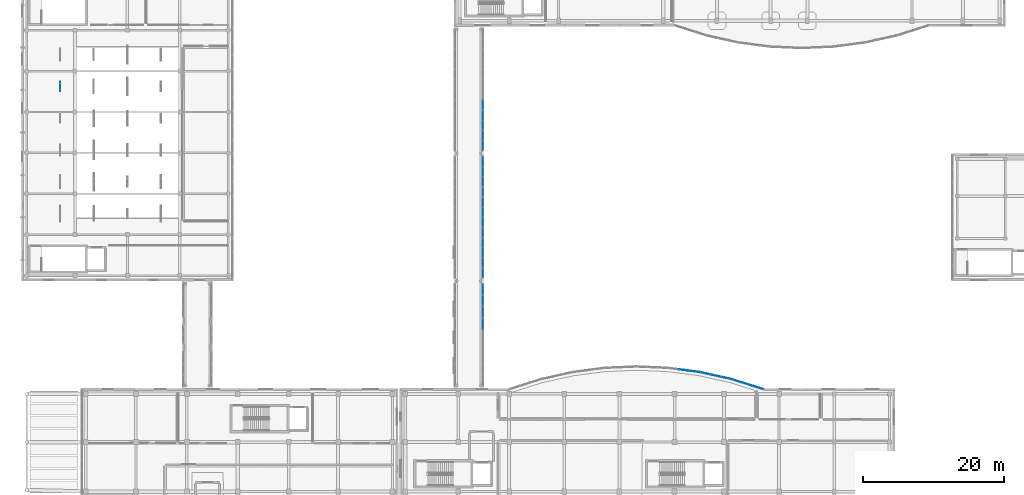
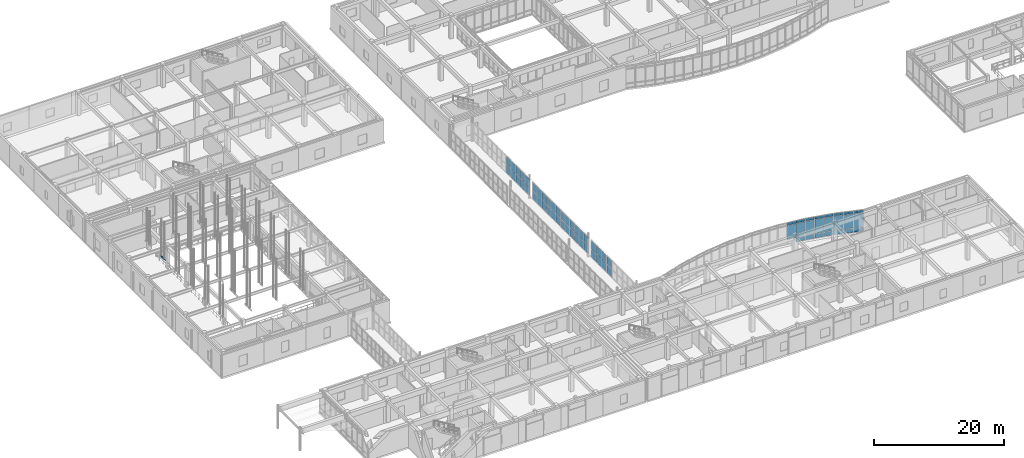
# One storey, part 108 of 142: 66 plates, 10 elements without a shape of their own.
"""IFC4 building model written with IfcOpenShell, lengths in metres."""

from ifc_helpers import new_model, si_unit, direction, frame, origin, origin_2d, place, context, subcontext, project, spatial, rectangle, extrude, material, layer, layer_set, type_object, element, aggregate, save


model = new_model("IFC4")

# Units and contexts
model_context = context("Model", 3, precision=1e-05, world=origin(), true_north=direction((0.0, 1.0)))
body_context = subcontext(model_context, "Body", "Model", "MODEL_VIEW")
ifc_project = project(units=[si_unit("LENGTHUNIT", "METRE"), si_unit("AREAUNIT", "SQUARE_METRE"), si_unit("VOLUMEUNIT", "CUBIC_METRE"), si_unit("PLANEANGLEUNIT", "RADIAN"), si_unit("MASSUNIT", "GRAM", prefix="KILO")], contexts=[model_context])

# Site, building, storey
site_placement = place(None, origin())
site = spatial("IfcSite", under=ifc_project, at=site_placement, CompositionType="ELEMENT")
building_placement = place(site_placement, origin())
building = spatial("IfcBuilding", under=site, at=building_placement, Name="Valcora Specialist Clinic", CompositionType="ELEMENT")
storey_placement = place(building_placement, frame((0.0, 0.0, 5.10009765625)))
storey = spatial("IfcBuildingStorey", under=building, at=storey_placement, Name="L01", CompositionType="ELEMENT", Elevation=5.10009765625)

# Curtain wall, plates
ifc_material_1 = material(Name="Anodized Bronze Aluminium 6063-T6", Category="aluminium")
ifc_layer_1 = layer(ifc_material_1, 0.175048828125)
ifc_layer_set_1 = layer_set([ifc_layer_1], Name="Anodized Bronze Aluminium 6063-T6")
curtain_wall_type_1 = type_object("IfcCurtainWallType", Name="TY-CW-ARC44", PredefinedType="NOTDEFINED", material=ifc_layer_set_1)
curtain_wall_1_placement = place(storey_placement, origin())
curtain_wall_1 = element("IfcCurtainWall", 1, at=curtain_wall_1_placement, inside=storey, type_object=curtain_wall_type_1, Name="Curtain wall CW-L01-200", PredefinedType="NOTDEFINED")
ifc_material_2 = material(Name="Low-E Laminated Insulating Glass", Category="glass")
ifc_layer_2 = layer(ifc_material_2, 0.028076171875)
ifc_layer_set_2 = layer_set([ifc_layer_2], Name="Low-E Laminated Insulating Glass")
plate_type_1 = type_object("IfcPlateType", Name="TY-CWP-GLZ28", PredefinedType="CURTAIN_PANEL", material=ifc_layer_set_2)
plate_1_placement = place(storey_placement, frame((96.73779296875, 24.912841796875, 0.88232421875), z_axis=(0.0, 0.0, 1.0), x_axis=(0.976278614432, -0.216518052372, 0.0)))
plate_1 = element("IfcPlate", 2, at=plate_1_placement, type_object=plate_type_1, Name="CW-ARC-44 panel 1.2", PredefinedType="CURTAIN_PANEL", context=body_context, shape_type="SweptSolid", body=[
    extrude(rectangle(XDim=1.4345703125, YDim=0.028076171875, at=origin_2d()), origin(), (0.0, 0.0, 1.0), 2.639892578125),
])
plate_2_placement = place(storey_placement, frame((96.73779296875, 24.912841796875, 3.58740234375), z_axis=(0.0, 0.0, 1.0), x_axis=(0.976278614432, -0.216518052372, 0.0)))
plate_2 = element("IfcPlate", 3, at=plate_2_placement, type_object=plate_type_1, Name="CW-ARC-44 panel 1.3", PredefinedType="CURTAIN_PANEL", context=body_context, shape_type="SweptSolid", body=[
    extrude(rectangle(XDim=1.4345703125, YDim=0.028076171875, at=origin_2d()), origin(), (0.0, 0.0, 1.0), 0.452392578125),
])
plate_3_placement = place(storey_placement, frame((98.217529296875, 24.58447265625, 0.88232421875), z_axis=(0.0, 0.0, 1.0), x_axis=(0.976278614432, -0.216518052372, 0.0)))
plate_3 = element("IfcPlate", 4, at=plate_3_placement, type_object=plate_type_1, Name="CW-ARC-44 panel 2.2", PredefinedType="CURTAIN_PANEL", context=body_context, shape_type="SweptSolid", body=[
    extrude(rectangle(XDim=1.467041015625, YDim=0.028076171875, at=origin_2d()), origin(), (0.0, 0.0, 1.0), 2.639892578125),
])
plate_4_placement = place(storey_placement, frame((98.217529296875, 24.58447265625, 3.58740234375), z_axis=(0.0, 0.0, 1.0), x_axis=(0.976278614432, -0.216518052372, 0.0)))
plate_4 = element("IfcPlate", 5, at=plate_4_placement, type_object=plate_type_1, Name="CW-ARC-44 panel 2.3", PredefinedType="CURTAIN_PANEL", context=body_context, shape_type="SweptSolid", body=[
    extrude(rectangle(XDim=1.467041015625, YDim=0.028076171875, at=origin_2d()), origin(), (0.0, 0.0, 1.0), 0.452392578125),
])
plate_5_placement = place(storey_placement, frame((99.697265625, 24.25634765625, 0.88232421875), z_axis=(0.0, 0.0, 1.0), x_axis=(0.976278614432, -0.216518052372, 0.0)))
plate_5 = element("IfcPlate", 6, at=plate_5_placement, type_object=plate_type_1, Name="CW-ARC-44 panel 3.2", PredefinedType="CURTAIN_PANEL", context=body_context, shape_type="SweptSolid", body=[
    extrude(rectangle(XDim=1.4345703125, YDim=0.028076171875, at=origin_2d()), origin(), (0.0, 0.0, 1.0), 2.639892578125),
])
plate_6_placement = place(storey_placement, frame((99.697265625, 24.25634765625, 3.58740234375), z_axis=(0.0, 0.0, 1.0), x_axis=(0.976278614432, -0.216518052372, 0.0)))
plate_6 = element("IfcPlate", 7, at=plate_6_placement, type_object=plate_type_1, Name="CW-ARC-44 panel 3.3", PredefinedType="CURTAIN_PANEL", context=body_context, shape_type="SweptSolid", body=[
    extrude(rectangle(XDim=1.4345703125, YDim=0.028076171875, at=origin_2d()), origin(), (0.0, 0.0, 1.0), 0.452392578125),
])

ifc_layer_3 = layer(ifc_material_1, 0.175048828125)
ifc_layer_set_3 = layer_set([ifc_layer_3], Name="Anodized Bronze Aluminium 6063-T6")
curtain_wall_type_2 = type_object("IfcCurtainWallType", Name="TY-CW-BRG14", PredefinedType="NOTDEFINED", material=ifc_layer_set_3)
curtain_wall_2_placement = place(storey_placement, origin())
curtain_wall_2 = element("IfcCurtainWall", 8, at=curtain_wall_2_placement, inside=storey, type_object=curtain_wall_type_2, Name="Curtain wall CW-L01-242", PredefinedType="NOTDEFINED")
plate_7_placement = place(storey_placement, frame((65.280029296875, 33.58837890625, 0.06494140625), z_axis=(0.0, 0.0, 1.0), x_axis=(0.0, 1.0, 0.0)))
plate_7 = element("IfcPlate", 9, at=plate_7_placement, type_object=plate_type_1, Name="CW-BRG-14 panel 1.1", PredefinedType="CURTAIN_PANEL", context=body_context, shape_type="SweptSolid", body=[
    extrude(rectangle(XDim=1.513671875, YDim=0.028076171875, at=origin_2d()), origin(), (0.0, 0.0, 1.0), 1.5224609375),
])
plate_8_placement = place(storey_placement, frame((65.280029296875, 33.58837890625, 1.65234375), z_axis=(0.0, 0.0, 1.0), x_axis=(0.0, 1.0, 0.0)))
plate_8 = element("IfcPlate", 10, at=plate_8_placement, type_object=plate_type_1, Name="CW-BRG-14 panel 1.2", PredefinedType="CURTAIN_PANEL", context=body_context, shape_type="SweptSolid", body=[
    extrude(rectangle(XDim=1.513671875, YDim=0.028076171875, at=origin_2d()), origin(), (0.0, 0.0, 1.0), 1.5224609375),
])
plate_9_placement = place(storey_placement, frame((65.280029296875, 35.183349609375, 0.06494140625), z_axis=(0.0, 0.0, 1.0), x_axis=(0.0, 1.0, 0.0)))
plate_9 = element("IfcPlate", 11, at=plate_9_placement, type_object=plate_type_1, Name="CW-BRG-14 panel 2.1", PredefinedType="CURTAIN_PANEL", context=body_context, shape_type="SweptSolid", body=[
    extrude(rectangle(XDim=1.546142578125, YDim=0.028076171875, at=origin_2d()), origin(), (0.0, 0.0, 1.0), 1.5224609375),
])
plate_10_placement = place(storey_placement, frame((65.280029296875, 35.183349609375, 1.65234375), z_axis=(0.0, 0.0, 1.0), x_axis=(0.0, 1.0, 0.0)))
plate_10 = element("IfcPlate", 12, at=plate_10_placement, type_object=plate_type_1, Name="CW-BRG-14 panel 2.2", PredefinedType="CURTAIN_PANEL", context=body_context, shape_type="SweptSolid", body=[
    extrude(rectangle(XDim=1.546142578125, YDim=0.028076171875, at=origin_2d()), origin(), (0.0, 0.0, 1.0), 1.5224609375),
])
plate_11_placement = place(storey_placement, frame((65.280029296875, 36.7783203125, 0.06494140625), z_axis=(0.0, 0.0, 1.0), x_axis=(0.0, 1.0, 0.0)))
plate_11 = element("IfcPlate", 13, at=plate_11_placement, type_object=plate_type_1, Name="CW-BRG-14 panel 3.1", PredefinedType="CURTAIN_PANEL", context=body_context, shape_type="SweptSolid", body=[
    extrude(rectangle(XDim=1.513671875, YDim=0.028076171875, at=origin_2d()), origin(), (0.0, 0.0, 1.0), 1.5224609375),
])
plate_12_placement = place(storey_placement, frame((65.280029296875, 36.7783203125, 1.65234375), z_axis=(0.0, 0.0, 1.0), x_axis=(0.0, 1.0, 0.0)))
plate_12 = element("IfcPlate", 14, at=plate_12_placement, type_object=plate_type_1, Name="CW-BRG-14 panel 3.2", PredefinedType="CURTAIN_PANEL", context=body_context, shape_type="SweptSolid", body=[
    extrude(rectangle(XDim=1.513671875, YDim=0.028076171875, at=origin_2d()), origin(), (0.0, 0.0, 1.0), 1.5224609375),
])
aggregate(curtain_wall_2, [plate_7, plate_8, plate_9, plate_10, plate_11, plate_12])

curtain_wall_3_placement = place(storey_placement, origin())
curtain_wall_3 = element("IfcCurtainWall", 15, at=curtain_wall_3_placement, inside=storey, type_object=curtain_wall_type_2, Name="Curtain wall CW-L01-244", PredefinedType="NOTDEFINED")
plate_13_placement = place(storey_placement, frame((65.280029296875, 44.8662109375, 0.06494140625), z_axis=(0.0, 0.0, 1.0), x_axis=(0.0, 1.0, 0.0)))
plate_13 = element("IfcPlate", 16, at=plate_13_placement, type_object=plate_type_1, Name="CW-BRG-14 panel 1.1", PredefinedType="CURTAIN_PANEL", context=body_context, shape_type="SweptSolid", body=[
    extrude(rectangle(XDim=1.3359375, YDim=0.028076171875, at=origin_2d()), origin(), (0.0, 0.0, 1.0), 1.5224609375),
])
plate_14_placement = place(storey_placement, frame((65.280029296875, 44.8662109375, 1.65234375), z_axis=(0.0, 0.0, 1.0), x_axis=(0.0, 1.0, 0.0)))
plate_14 = element("IfcPlate", 17, at=plate_14_placement, type_object=plate_type_1, Name="CW-BRG-14 panel 1.2", PredefinedType="CURTAIN_PANEL", context=body_context, shape_type="SweptSolid", body=[
    extrude(rectangle(XDim=1.3359375, YDim=0.028076171875, at=origin_2d()), origin(), (0.0, 0.0, 1.0), 1.5224609375),
])
plate_15_placement = place(storey_placement, frame((65.280029296875, 46.283203125, 0.06494140625), z_axis=(0.0, 0.0, 1.0), x_axis=(0.0, 1.0, 0.0)))
plate_15 = element("IfcPlate", 18, at=plate_15_placement, type_object=plate_type_1, Name="CW-BRG-14 panel 2.1", PredefinedType="CURTAIN_PANEL", context=body_context, shape_type="SweptSolid", body=[
    extrude(rectangle(XDim=1.368408203125, YDim=0.028076171875, at=origin_2d()), origin(), (0.0, 0.0, 1.0), 1.5224609375),
])
plate_16_placement = place(storey_placement, frame((65.280029296875, 46.283203125, 1.65234375), z_axis=(0.0, 0.0, 1.0), x_axis=(0.0, 1.0, 0.0)))
plate_16 = element("IfcPlate", 19, at=plate_16_placement, type_object=plate_type_1, Name="CW-BRG-14 panel 2.2", PredefinedType="CURTAIN_PANEL", context=body_context, shape_type="SweptSolid", body=[
    extrude(rectangle(XDim=1.368408203125, YDim=0.028076171875, at=origin_2d()), origin(), (0.0, 0.0, 1.0), 1.5224609375),
])
plate_17_placement = place(storey_placement, frame((65.280029296875, 47.716796875, 0.06494140625), z_axis=(0.0, 0.0, 1.0), x_axis=(0.0, 1.0, 0.0)))
plate_17 = element("IfcPlate", 20, at=plate_17_placement, type_object=plate_type_1, Name="CW-BRG-14 panel 3.1", PredefinedType="CURTAIN_PANEL", context=body_context, shape_type="SweptSolid", body=[
    extrude(rectangle(XDim=1.368408203125, YDim=0.028076171875, at=origin_2d()), origin(), (0.0, 0.0, 1.0), 1.5224609375),
])
plate_18_placement = place(storey_placement, frame((65.280029296875, 47.716796875, 1.65234375), z_axis=(0.0, 0.0, 1.0), x_axis=(0.0, 1.0, 0.0)))
plate_18 = element("IfcPlate", 21, at=plate_18_placement, type_object=plate_type_1, Name="CW-BRG-14 panel 3.2", PredefinedType="CURTAIN_PANEL", context=body_context, shape_type="SweptSolid", body=[
    extrude(rectangle(XDim=1.368408203125, YDim=0.028076171875, at=origin_2d()), origin(), (0.0, 0.0, 1.0), 1.5224609375),
])
plate_19_placement = place(storey_placement, frame((65.280029296875, 49.1337890625, 0.06494140625), z_axis=(0.0, 0.0, 1.0), x_axis=(0.0, 1.0, 0.0)))
plate_19 = element("IfcPlate", 22, at=plate_19_placement, type_object=plate_type_1, Name="CW-BRG-14 panel 4.1", PredefinedType="CURTAIN_PANEL", context=body_context, shape_type="SweptSolid", body=[
    extrude(rectangle(XDim=1.3359375, YDim=0.028076171875, at=origin_2d()), origin(), (0.0, 0.0, 1.0), 1.5224609375),
])
plate_20_placement = place(storey_placement, frame((65.280029296875, 49.1337890625, 1.65234375), z_axis=(0.0, 0.0, 1.0), x_axis=(0.0, 1.0, 0.0)))
plate_20 = element("IfcPlate", 23, at=plate_20_placement, type_object=plate_type_1, Name="CW-BRG-14 panel 4.2", PredefinedType="CURTAIN_PANEL", context=body_context, shape_type="SweptSolid", body=[
    extrude(rectangle(XDim=1.3359375, YDim=0.028076171875, at=origin_2d()), origin(), (0.0, 0.0, 1.0), 1.5224609375),
])
aggregate(curtain_wall_3, [plate_13, plate_14, plate_15, plate_16, plate_17, plate_18, plate_19, plate_20])

curtain_wall_4_placement = place(storey_placement, origin())
curtain_wall_4 = element("IfcCurtainWall", 24, at=curtain_wall_4_placement, inside=storey, type_object=curtain_wall_type_2, Name="Curtain wall CW-L01-246", PredefinedType="NOTDEFINED")
plate_21_placement = place(storey_placement, frame((65.280029296875, 57.13720703125, 0.06494140625), z_axis=(0.0, 0.0, 1.0), x_axis=(0.0, 1.0, 0.0)))
plate_21 = element("IfcPlate", 25, at=plate_21_placement, type_object=plate_type_1, Name="CW-BRG-14 panel 1.1", PredefinedType="CURTAIN_PANEL", context=body_context, shape_type="SweptSolid", body=[
    extrude(rectangle(XDim=1.34423828125, YDim=0.028076171875, at=origin_2d()), origin(), (0.0, 0.0, 1.0), 1.5224609375),
])
plate_22_placement = place(storey_placement, frame((65.280029296875, 57.13720703125, 1.65234375), z_axis=(0.0, 0.0, 1.0), x_axis=(0.0, 1.0, 0.0)))
plate_22 = element("IfcPlate", 26, at=plate_22_placement, type_object=plate_type_1, Name="CW-BRG-14 panel 1.2", PredefinedType="CURTAIN_PANEL", context=body_context, shape_type="SweptSolid", body=[
    extrude(rectangle(XDim=1.34423828125, YDim=0.028076171875, at=origin_2d()), origin(), (0.0, 0.0, 1.0), 1.5224609375),
])
plate_23_placement = place(storey_placement, frame((65.280029296875, 58.5625, 0.06494140625), z_axis=(0.0, 0.0, 1.0), x_axis=(0.0, 1.0, 0.0)))
plate_23 = element("IfcPlate", 27, at=plate_23_placement, type_object=plate_type_1, Name="CW-BRG-14 panel 2.1", PredefinedType="CURTAIN_PANEL", context=body_context, shape_type="SweptSolid", body=[
    extrude(rectangle(XDim=1.376708984375, YDim=0.028076171875, at=origin_2d()), origin(), (0.0, 0.0, 1.0), 1.5224609375),
])
plate_24_placement = place(storey_placement, frame((65.280029296875, 58.5625, 1.65234375), z_axis=(0.0, 0.0, 1.0), x_axis=(0.0, 1.0, 0.0)))
plate_24 = element("IfcPlate", 28, at=plate_24_placement, type_object=plate_type_1, Name="CW-BRG-14 panel 2.2", PredefinedType="CURTAIN_PANEL", context=body_context, shape_type="SweptSolid", body=[
    extrude(rectangle(XDim=1.376708984375, YDim=0.028076171875, at=origin_2d()), origin(), (0.0, 0.0, 1.0), 1.5224609375),
])
plate_25_placement = place(storey_placement, frame((65.280029296875, 60.004150390625, 0.06494140625), z_axis=(0.0, 0.0, 1.0), x_axis=(0.0, 1.0, 0.0)))
plate_25 = element("IfcPlate", 29, at=plate_25_placement, type_object=plate_type_1, Name="CW-BRG-14 panel 3.1", PredefinedType="CURTAIN_PANEL", context=body_context, shape_type="SweptSolid", body=[
    extrude(rectangle(XDim=1.376708984375, YDim=0.028076171875, at=origin_2d()), origin(), (0.0, 0.0, 1.0), 1.5224609375),
])
plate_26_placement = place(storey_placement, frame((65.280029296875, 60.004150390625, 1.65234375), z_axis=(0.0, 0.0, 1.0), x_axis=(0.0, 1.0, 0.0)))
plate_26 = element("IfcPlate", 30, at=plate_26_placement, type_object=plate_type_1, Name="CW-BRG-14 panel 3.2", PredefinedType="CURTAIN_PANEL", context=body_context, shape_type="SweptSolid", body=[
    extrude(rectangle(XDim=1.376708984375, YDim=0.028076171875, at=origin_2d()), origin(), (0.0, 0.0, 1.0), 1.5224609375),
])
plate_27_placement = place(storey_placement, frame((65.280029296875, 61.4296875, 0.06494140625), z_axis=(0.0, 0.0, 1.0), x_axis=(0.0, 1.0, 0.0)))
plate_27 = element("IfcPlate", 31, at=plate_27_placement, type_object=plate_type_1, Name="CW-BRG-14 panel 4.1", PredefinedType="CURTAIN_PANEL", context=body_context, shape_type="SweptSolid", body=[
    extrude(rectangle(XDim=1.34423828125, YDim=0.028076171875, at=origin_2d()), origin(), (0.0, 0.0, 1.0), 1.5224609375),
])
plate_28_placement = place(storey_placement, frame((65.280029296875, 61.4296875, 1.65234375), z_axis=(0.0, 0.0, 1.0), x_axis=(0.0, 1.0, 0.0)))
plate_28 = element("IfcPlate", 32, at=plate_28_placement, type_object=plate_type_1, Name="CW-BRG-14 panel 4.2", PredefinedType="CURTAIN_PANEL", context=body_context, shape_type="SweptSolid", body=[
    extrude(rectangle(XDim=1.34423828125, YDim=0.028076171875, at=origin_2d()), origin(), (0.0, 0.0, 1.0), 1.5224609375),
])
aggregate(curtain_wall_4, [plate_21, plate_22, plate_23, plate_24, plate_25, plate_26, plate_27, plate_28])

curtain_wall_5_placement = place(storey_placement, origin())
curtain_wall_5 = element("IfcCurtainWall", 33, at=curtain_wall_5_placement, inside=storey, type_object=curtain_wall_type_1, Name="Curtain wall CW-L01-199", PredefinedType="NOTDEFINED")
ifc_layer_4 = layer(ifc_material_2, 0.033935546875)
ifc_layer_set_4 = layer_set([ifc_layer_4], Name="Low-E Laminated Insulating Glass")
plate_type_2 = type_object("IfcPlateType", Name="TY-CWP-GLZ34", PredefinedType="CURTAIN_PANEL", material=ifc_layer_set_4)
plate_29_placement = place(storey_placement, frame((93.73046875, 25.376220703125, 0.88232421875), z_axis=(0.0, 0.0, 1.0), x_axis=(0.991514060421, -0.129999492259, 0.0)))
plate_29 = element("IfcPlate", 34, at=plate_29_placement, type_object=plate_type_2, Name="CW-ARC-44 panel 2.2", PredefinedType="CURTAIN_PANEL", context=body_context, shape_type="SweptSolid", body=[
    extrude(rectangle(XDim=1.443359375, YDim=0.033935546875, at=origin_2d()), origin(), (0.0, 0.0, 1.0), 2.639892578125),
])
plate_30_placement = place(storey_placement, frame((93.73046875, 25.376220703125, 3.58740234375), z_axis=(0.0, 0.0, 1.0), x_axis=(0.991514060421, -0.129999492259, 0.0)))
plate_30 = element("IfcPlate", 35, at=plate_30_placement, type_object=plate_type_2, Name="CW-ARC-44 panel 2.3", PredefinedType="CURTAIN_PANEL", context=body_context, shape_type="SweptSolid", body=[
    extrude(rectangle(XDim=1.443359375, YDim=0.033935546875, at=origin_2d()), origin(), (0.0, 0.0, 1.0), 0.452392578125),
])
plate_31_placement = place(storey_placement, frame((95.2099609375, 25.182373046875, 0.88232421875), z_axis=(0.0, 0.0, 1.0), x_axis=(0.991514060421, -0.129999492259, 0.0)))
plate_31 = element("IfcPlate", 36, at=plate_31_placement, type_object=plate_type_2, Name="CW-ARC-44 panel 3.2", PredefinedType="CURTAIN_PANEL", context=body_context, shape_type="SweptSolid", body=[
    extrude(rectangle(XDim=1.410888671875, YDim=0.033935546875, at=origin_2d()), origin(), (0.0, 0.0, 1.0), 2.639892578125),
])
plate_32_placement = place(storey_placement, frame((95.2099609375, 25.182373046875, 3.58740234375), z_axis=(0.0, 0.0, 1.0), x_axis=(0.991514060421, -0.129999492259, 0.0)))
plate_32 = element("IfcPlate", 37, at=plate_32_placement, type_object=plate_type_2, Name="CW-ARC-44 panel 3.3", PredefinedType="CURTAIN_PANEL", context=body_context, shape_type="SweptSolid", body=[
    extrude(rectangle(XDim=1.410888671875, YDim=0.033935546875, at=origin_2d()), origin(), (0.0, 0.0, 1.0), 0.452392578125),
])

curtain_wall_6_placement = place(storey_placement, origin())
curtain_wall_6 = element("IfcCurtainWall", 38, at=curtain_wall_6_placement, inside=storey, type_object=curtain_wall_type_1, Name="Curtain wall CW-L01-201", PredefinedType="NOTDEFINED")
plate_33_placement = place(storey_placement, frame((101.22900390625, 23.842529296875, 0.88232421875), z_axis=(0.0, 0.0, 1.0), x_axis=(0.952916356972, -0.303233270958, 0.0)))
plate_33 = element("IfcPlate", 39, at=plate_33_placement, type_object=plate_type_2, Name="CW-ARC-44 panel 1.2", PredefinedType="CURTAIN_PANEL", context=body_context, shape_type="SweptSolid", body=[
    extrude(rectangle(XDim=1.482177734375, YDim=0.033935546875, at=origin_2d()), origin(), (0.0, 0.0, 1.0), 2.639892578125),
])
plate_34_placement = place(storey_placement, frame((101.22900390625, 23.842529296875, 3.58740234375), z_axis=(0.0, 0.0, 1.0), x_axis=(0.952916356972, -0.303233270958, 0.0)))
plate_34 = element("IfcPlate", 40, at=plate_34_placement, type_object=plate_type_2, Name="CW-ARC-44 panel 1.3", PredefinedType="CURTAIN_PANEL", context=body_context, shape_type="SweptSolid", body=[
    extrude(rectangle(XDim=1.482177734375, YDim=0.033935546875, at=origin_2d()), origin(), (0.0, 0.0, 1.0), 0.452392578125),
])
plate_35_placement = place(storey_placement, frame((102.71875, 23.368408203125, 0.88232421875), z_axis=(0.0, 0.0, 1.0), x_axis=(0.952916356972, -0.303233270958, 0.0)))
plate_35 = element("IfcPlate", 41, at=plate_35_placement, type_object=plate_type_2, Name="CW-ARC-44 panel 2.2", PredefinedType="CURTAIN_PANEL", context=body_context, shape_type="SweptSolid", body=[
    extrude(rectangle(XDim=1.5146484375, YDim=0.033935546875, at=origin_2d()), origin(), (0.0, 0.0, 1.0), 2.639892578125),
])
plate_36_placement = place(storey_placement, frame((102.71875, 23.368408203125, 3.58740234375), z_axis=(0.0, 0.0, 1.0), x_axis=(0.952916356972, -0.303233270958, 0.0)))
plate_36 = element("IfcPlate", 42, at=plate_36_placement, type_object=plate_type_2, Name="CW-ARC-44 panel 2.3", PredefinedType="CURTAIN_PANEL", context=body_context, shape_type="SweptSolid", body=[
    extrude(rectangle(XDim=1.5146484375, YDim=0.033935546875, at=origin_2d()), origin(), (0.0, 0.0, 1.0), 0.452392578125),
])
plate_37_placement = place(storey_placement, frame((104.20849609375, 22.89453125, 0.88232421875), z_axis=(0.0, 0.0, 1.0), x_axis=(0.952916356972, -0.303233270958, 0.0)))
plate_37 = element("IfcPlate", 43, at=plate_37_placement, type_object=plate_type_2, Name="CW-ARC-44 panel 3.2", PredefinedType="CURTAIN_PANEL", context=body_context, shape_type="SweptSolid", body=[
    extrude(rectangle(XDim=1.482177734375, YDim=0.033935546875, at=origin_2d()), origin(), (0.0, 0.0, 1.0), 2.639892578125),
])
plate_38_placement = place(storey_placement, frame((104.20849609375, 22.89453125, 3.58740234375), z_axis=(0.0, 0.0, 1.0), x_axis=(0.952916356972, -0.303233270958, 0.0)))
plate_38 = element("IfcPlate", 44, at=plate_38_placement, type_object=plate_type_2, Name="CW-ARC-44 panel 3.3", PredefinedType="CURTAIN_PANEL", context=body_context, shape_type="SweptSolid", body=[
    extrude(rectangle(XDim=1.482177734375, YDim=0.033935546875, at=origin_2d()), origin(), (0.0, 0.0, 1.0), 0.452392578125),
])

curtain_wall_7_placement = place(storey_placement, origin())
curtain_wall_7 = element("IfcCurtainWall", 45, at=curtain_wall_7_placement, inside=storey, type_object=curtain_wall_type_2, Name="Curtain wall CW-L01-241", PredefinedType="NOTDEFINED")
plate_39_placement = place(storey_placement, frame((65.280029296875, 31.94482421875, 0.06494140625), z_axis=(0.0, 0.0, 1.0), x_axis=(0.0, 1.0, 0.0)))
plate_39 = element("IfcPlate", 46, at=plate_39_placement, type_object=plate_type_2, Name="CW-BRG-14 panel 3.1", PredefinedType="CURTAIN_PANEL", context=body_context, shape_type="SweptSolid", body=[
    extrude(rectangle(XDim=1.513671875, YDim=0.033935546875, at=origin_2d()), origin(), (0.0, 0.0, 1.0), 1.5224609375),
])
plate_40_placement = place(storey_placement, frame((65.280029296875, 31.94482421875, 1.65234375), z_axis=(0.0, 0.0, 1.0), x_axis=(0.0, 1.0, 0.0)))
plate_40 = element("IfcPlate", 47, at=plate_40_placement, type_object=plate_type_2, Name="CW-BRG-14 panel 3.2", PredefinedType="CURTAIN_PANEL", context=body_context, shape_type="SweptSolid", body=[
    extrude(rectangle(XDim=1.513671875, YDim=0.033935546875, at=origin_2d()), origin(), (0.0, 0.0, 1.0), 1.5224609375),
])
aggregate(curtain_wall_7, [plate_39, plate_40])

curtain_wall_8_placement = place(storey_placement, origin())
curtain_wall_8 = element("IfcCurtainWall", 48, at=curtain_wall_8_placement, inside=storey, type_object=curtain_wall_type_2, Name="Curtain wall CW-L01-243", PredefinedType="NOTDEFINED")
plate_41_placement = place(storey_placement, frame((65.280029296875, 39.1328125, 0.06494140625), z_axis=(0.0, 0.0, 1.0), x_axis=(0.0, 1.0, 0.0)))
plate_41 = element("IfcPlate", 49, at=plate_41_placement, type_object=plate_type_2, Name="CW-BRG-14 panel 1.1", PredefinedType="CURTAIN_PANEL", context=body_context, shape_type="SweptSolid", body=[
    extrude(rectangle(XDim=1.3359375, YDim=0.033935546875, at=origin_2d()), origin(), (0.0, 0.0, 1.0), 1.5224609375),
])
plate_42_placement = place(storey_placement, frame((65.280029296875, 39.1328125, 1.65234375), z_axis=(0.0, 0.0, 1.0), x_axis=(0.0, 1.0, 0.0)))
plate_42 = element("IfcPlate", 50, at=plate_42_placement, type_object=plate_type_2, Name="CW-BRG-14 panel 1.2", PredefinedType="CURTAIN_PANEL", context=body_context, shape_type="SweptSolid", body=[
    extrude(rectangle(XDim=1.3359375, YDim=0.033935546875, at=origin_2d()), origin(), (0.0, 0.0, 1.0), 1.5224609375),
])
plate_43_placement = place(storey_placement, frame((65.280029296875, 40.550048828125, 0.06494140625), z_axis=(0.0, 0.0, 1.0), x_axis=(0.0, 1.0, 0.0)))
plate_43 = element("IfcPlate", 51, at=plate_43_placement, type_object=plate_type_2, Name="CW-BRG-14 panel 2.1", PredefinedType="CURTAIN_PANEL", context=body_context, shape_type="SweptSolid", body=[
    extrude(rectangle(XDim=1.368408203125, YDim=0.033935546875, at=origin_2d()), origin(), (0.0, 0.0, 1.0), 1.5224609375),
])
plate_44_placement = place(storey_placement, frame((65.280029296875, 40.550048828125, 1.65234375), z_axis=(0.0, 0.0, 1.0), x_axis=(0.0, 1.0, 0.0)))
plate_44 = element("IfcPlate", 52, at=plate_44_placement, type_object=plate_type_2, Name="CW-BRG-14 panel 2.2", PredefinedType="CURTAIN_PANEL", context=body_context, shape_type="SweptSolid", body=[
    extrude(rectangle(XDim=1.368408203125, YDim=0.033935546875, at=origin_2d()), origin(), (0.0, 0.0, 1.0), 1.5224609375),
])
plate_45_placement = place(storey_placement, frame((65.280029296875, 41.9833984375, 0.06494140625), z_axis=(0.0, 0.0, 1.0), x_axis=(0.0, 1.0, 0.0)))
plate_45 = element("IfcPlate", 53, at=plate_45_placement, type_object=plate_type_2, Name="CW-BRG-14 panel 3.1", PredefinedType="CURTAIN_PANEL", context=body_context, shape_type="SweptSolid", body=[
    extrude(rectangle(XDim=1.368408203125, YDim=0.033935546875, at=origin_2d()), origin(), (0.0, 0.0, 1.0), 1.5224609375),
])
plate_46_placement = place(storey_placement, frame((65.280029296875, 41.9833984375, 1.65234375), z_axis=(0.0, 0.0, 1.0), x_axis=(0.0, 1.0, 0.0)))
plate_46 = element("IfcPlate", 54, at=plate_46_placement, type_object=plate_type_2, Name="CW-BRG-14 panel 3.2", PredefinedType="CURTAIN_PANEL", context=body_context, shape_type="SweptSolid", body=[
    extrude(rectangle(XDim=1.368408203125, YDim=0.033935546875, at=origin_2d()), origin(), (0.0, 0.0, 1.0), 1.5224609375),
])
plate_47_placement = place(storey_placement, frame((65.280029296875, 43.400390625, 0.06494140625), z_axis=(0.0, 0.0, 1.0), x_axis=(0.0, 1.0, 0.0)))
plate_47 = element("IfcPlate", 55, at=plate_47_placement, type_object=plate_type_2, Name="CW-BRG-14 panel 4.1", PredefinedType="CURTAIN_PANEL", context=body_context, shape_type="SweptSolid", body=[
    extrude(rectangle(XDim=1.3359375, YDim=0.033935546875, at=origin_2d()), origin(), (0.0, 0.0, 1.0), 1.5224609375),
])
plate_48_placement = place(storey_placement, frame((65.280029296875, 43.400390625, 1.65234375), z_axis=(0.0, 0.0, 1.0), x_axis=(0.0, 1.0, 0.0)))
plate_48 = element("IfcPlate", 56, at=plate_48_placement, type_object=plate_type_2, Name="CW-BRG-14 panel 4.2", PredefinedType="CURTAIN_PANEL", context=body_context, shape_type="SweptSolid", body=[
    extrude(rectangle(XDim=1.3359375, YDim=0.033935546875, at=origin_2d()), origin(), (0.0, 0.0, 1.0), 1.5224609375),
])
aggregate(curtain_wall_8, [plate_41, plate_42, plate_43, plate_44, plate_45, plate_46, plate_47, plate_48])

curtain_wall_9_placement = place(storey_placement, origin())
curtain_wall_9 = element("IfcCurtainWall", 57, at=curtain_wall_9_placement, inside=storey, type_object=curtain_wall_type_2, Name="Curtain wall CW-L01-245", PredefinedType="NOTDEFINED")
plate_49_placement = place(storey_placement, frame((65.280029296875, 50.599609375, 0.06494140625), z_axis=(0.0, 0.0, 1.0), x_axis=(0.0, 1.0, 0.0)))
plate_49 = element("IfcPlate", 58, at=plate_49_placement, type_object=plate_type_2, Name="CW-BRG-14 panel 1.1", PredefinedType="CURTAIN_PANEL", context=body_context, shape_type="SweptSolid", body=[
    extrude(rectangle(XDim=1.3359375, YDim=0.033935546875, at=origin_2d()), origin(), (0.0, 0.0, 1.0), 1.5224609375),
])
plate_50_placement = place(storey_placement, frame((65.280029296875, 50.599609375, 1.65234375), z_axis=(0.0, 0.0, 1.0), x_axis=(0.0, 1.0, 0.0)))
plate_50 = element("IfcPlate", 59, at=plate_50_placement, type_object=plate_type_2, Name="CW-BRG-14 panel 1.2", PredefinedType="CURTAIN_PANEL", context=body_context, shape_type="SweptSolid", body=[
    extrude(rectangle(XDim=1.3359375, YDim=0.033935546875, at=origin_2d()), origin(), (0.0, 0.0, 1.0), 1.5224609375),
])
plate_51_placement = place(storey_placement, frame((65.280029296875, 52.0166015625, 0.06494140625), z_axis=(0.0, 0.0, 1.0), x_axis=(0.0, 1.0, 0.0)))
plate_51 = element("IfcPlate", 60, at=plate_51_placement, type_object=plate_type_2, Name="CW-BRG-14 panel 2.1", PredefinedType="CURTAIN_PANEL", context=body_context, shape_type="SweptSolid", body=[
    extrude(rectangle(XDim=1.368408203125, YDim=0.033935546875, at=origin_2d()), origin(), (0.0, 0.0, 1.0), 1.5224609375),
])
plate_52_placement = place(storey_placement, frame((65.280029296875, 52.0166015625, 1.65234375), z_axis=(0.0, 0.0, 1.0), x_axis=(0.0, 1.0, 0.0)))
plate_52 = element("IfcPlate", 61, at=plate_52_placement, type_object=plate_type_2, Name="CW-BRG-14 panel 2.2", PredefinedType="CURTAIN_PANEL", context=body_context, shape_type="SweptSolid", body=[
    extrude(rectangle(XDim=1.368408203125, YDim=0.033935546875, at=origin_2d()), origin(), (0.0, 0.0, 1.0), 1.5224609375),
])
plate_53_placement = place(storey_placement, frame((65.280029296875, 53.449951171875, 0.06494140625), z_axis=(0.0, 0.0, 1.0), x_axis=(0.0, 1.0, 0.0)))
plate_53 = element("IfcPlate", 62, at=plate_53_placement, type_object=plate_type_2, Name="CW-BRG-14 panel 3.1", PredefinedType="CURTAIN_PANEL", context=body_context, shape_type="SweptSolid", body=[
    extrude(rectangle(XDim=1.368408203125, YDim=0.033935546875, at=origin_2d()), origin(), (0.0, 0.0, 1.0), 1.5224609375),
])
plate_54_placement = place(storey_placement, frame((65.280029296875, 53.449951171875, 1.65234375), z_axis=(0.0, 0.0, 1.0), x_axis=(0.0, 1.0, 0.0)))
plate_54 = element("IfcPlate", 63, at=plate_54_placement, type_object=plate_type_2, Name="CW-BRG-14 panel 3.2", PredefinedType="CURTAIN_PANEL", context=body_context, shape_type="SweptSolid", body=[
    extrude(rectangle(XDim=1.368408203125, YDim=0.033935546875, at=origin_2d()), origin(), (0.0, 0.0, 1.0), 1.5224609375),
])
plate_55_placement = place(storey_placement, frame((65.280029296875, 54.8671875, 0.06494140625), z_axis=(0.0, 0.0, 1.0), x_axis=(0.0, 1.0, 0.0)))
plate_55 = element("IfcPlate", 64, at=plate_55_placement, type_object=plate_type_2, Name="CW-BRG-14 panel 4.1", PredefinedType="CURTAIN_PANEL", context=body_context, shape_type="SweptSolid", body=[
    extrude(rectangle(XDim=1.3359375, YDim=0.033935546875, at=origin_2d()), origin(), (0.0, 0.0, 1.0), 1.5224609375),
])
plate_56_placement = place(storey_placement, frame((65.280029296875, 54.8671875, 1.65234375), z_axis=(0.0, 0.0, 1.0), x_axis=(0.0, 1.0, 0.0)))
plate_56 = element("IfcPlate", 65, at=plate_56_placement, type_object=plate_type_2, Name="CW-BRG-14 panel 4.2", PredefinedType="CURTAIN_PANEL", context=body_context, shape_type="SweptSolid", body=[
    extrude(rectangle(XDim=1.3359375, YDim=0.033935546875, at=origin_2d()), origin(), (0.0, 0.0, 1.0), 1.5224609375),
])
aggregate(curtain_wall_9, [plate_49, plate_50, plate_51, plate_52, plate_53, plate_54, plate_55, plate_56])

curtain_wall_10_placement = place(storey_placement, origin())
curtain_wall_10 = element("IfcCurtainWall", 66, at=curtain_wall_10_placement, inside=storey, type_object=curtain_wall_type_2, Name="Curtain wall CW-L01-247", PredefinedType="NOTDEFINED")
plate_57_placement = place(storey_placement, frame((65.280029296875, 62.90380859375, 0.06494140625), z_axis=(0.0, 0.0, 1.0), x_axis=(0.0, 1.0, 0.0)))
plate_57 = element("IfcPlate", 67, at=plate_57_placement, type_object=plate_type_2, Name="CW-BRG-14 panel 1.1", PredefinedType="CURTAIN_PANEL", context=body_context, shape_type="SweptSolid", body=[
    extrude(rectangle(XDim=1.34423828125, YDim=0.033935546875, at=origin_2d()), origin(), (0.0, 0.0, 1.0), 1.5224609375),
])
plate_58_placement = place(storey_placement, frame((65.280029296875, 62.90380859375, 1.65234375), z_axis=(0.0, 0.0, 1.0), x_axis=(0.0, 1.0, 0.0)))
plate_58 = element("IfcPlate", 68, at=plate_58_placement, type_object=plate_type_2, Name="CW-BRG-14 panel 1.2", PredefinedType="CURTAIN_PANEL", context=body_context, shape_type="SweptSolid", body=[
    extrude(rectangle(XDim=1.34423828125, YDim=0.033935546875, at=origin_2d()), origin(), (0.0, 0.0, 1.0), 1.5224609375),
])
aggregate(curtain_wall_10, [plate_57, plate_58])

# Plate
ifc_material_3 = material(Name="Insulated Spandrel Panel")
ifc_layer_5 = layer(ifc_material_3, 0.044921875)
ifc_layer_set_5 = layer_set([ifc_layer_5], Name="Insulated Spandrel Panel")
plate_type_3 = type_object("IfcPlateType", Name="TY-CWP-SPN45", PredefinedType="SHEET", material=ifc_layer_set_5)
plate_59_placement = place(storey_placement, frame((95.2099609375, 25.182373046875, 0.06494140625), z_axis=(0.0, 0.0, 1.0), x_axis=(0.991514060421, -0.129999492259, 0.0)))
plate_59 = element("IfcPlate", 69, at=plate_59_placement, type_object=plate_type_3, Name="CW-ARC-44 panel 3.1", PredefinedType="SHEET", context=body_context, shape_type="SweptSolid", body=[
    extrude(rectangle(XDim=1.410888671875, YDim=0.044921875, at=origin_2d()), origin(), (0.0, 0.0, 1.0), 0.75244140625),
])

aggregate(curtain_wall_5, [plate_29, plate_30, plate_59, plate_31, plate_32])

plate_60_placement = place(storey_placement, frame((96.73779296875, 24.912841796875, 0.06494140625), z_axis=(0.0, 0.0, 1.0), x_axis=(0.976278614432, -0.216518052372, 0.0)))
plate_60 = element("IfcPlate", 70, at=plate_60_placement, type_object=plate_type_3, Name="CW-ARC-44 panel 1.1", PredefinedType="SHEET", context=body_context, shape_type="SweptSolid", body=[
    extrude(rectangle(XDim=1.4345703125, YDim=0.044921875, at=origin_2d()), origin(), (0.0, 0.0, 1.0), 0.75244140625),
])

plate_61_placement = place(storey_placement, frame((98.217529296875, 24.58447265625, 0.06494140625), z_axis=(0.0, 0.0, 1.0), x_axis=(0.976278614432, -0.216518052372, 0.0)))
plate_61 = element("IfcPlate", 71, at=plate_61_placement, type_object=plate_type_3, Name="CW-ARC-44 panel 2.1", PredefinedType="SHEET", context=body_context, shape_type="SweptSolid", body=[
    extrude(rectangle(XDim=1.467041015625, YDim=0.044921875, at=origin_2d()), origin(), (0.0, 0.0, 1.0), 0.75244140625),
])

plate_62_placement = place(storey_placement, frame((99.697265625, 24.25634765625, 0.06494140625), z_axis=(0.0, 0.0, 1.0), x_axis=(0.976278614432, -0.216518052372, 0.0)))
plate_62 = element("IfcPlate", 72, at=plate_62_placement, type_object=plate_type_3, Name="CW-ARC-44 panel 3.1", PredefinedType="SHEET", context=body_context, shape_type="SweptSolid", body=[
    extrude(rectangle(XDim=1.4345703125, YDim=0.044921875, at=origin_2d()), origin(), (0.0, 0.0, 1.0), 0.75244140625),
])

aggregate(curtain_wall_1, [plate_60, plate_1, plate_2, plate_61, plate_3, plate_4, plate_62, plate_5, plate_6])

plate_63_placement = place(storey_placement, frame((101.22900390625, 23.842529296875, 0.06494140625), z_axis=(0.0, 0.0, 1.0), x_axis=(0.952916356972, -0.303233270958, 0.0)))
plate_63 = element("IfcPlate", 73, at=plate_63_placement, type_object=plate_type_3, Name="CW-ARC-44 panel 1.1", PredefinedType="SHEET", context=body_context, shape_type="SweptSolid", body=[
    extrude(rectangle(XDim=1.482177734375, YDim=0.044921875, at=origin_2d()), origin(), (0.0, 0.0, 1.0), 0.75244140625),
])

plate_64_placement = place(storey_placement, frame((102.71875, 23.368408203125, 0.06494140625), z_axis=(0.0, 0.0, 1.0), x_axis=(0.952916356972, -0.303233270958, 0.0)))
plate_64 = element("IfcPlate", 74, at=plate_64_placement, type_object=plate_type_3, Name="CW-ARC-44 panel 2.1", PredefinedType="SHEET", context=body_context, shape_type="SweptSolid", body=[
    extrude(rectangle(XDim=1.5146484375, YDim=0.044921875, at=origin_2d()), origin(), (0.0, 0.0, 1.0), 0.75244140625),
])

plate_65_placement = place(storey_placement, frame((104.20849609375, 22.89453125, 0.06494140625), z_axis=(0.0, 0.0, 1.0), x_axis=(0.952916356972, -0.303233270958, 0.0)))
plate_65 = element("IfcPlate", 75, at=plate_65_placement, type_object=plate_type_3, Name="CW-ARC-44 panel 3.1", PredefinedType="SHEET", context=body_context, shape_type="SweptSolid", body=[
    extrude(rectangle(XDim=1.482177734375, YDim=0.044921875, at=origin_2d()), origin(), (0.0, 0.0, 1.0), 0.75244140625),
])

aggregate(curtain_wall_6, [plate_63, plate_33, plate_34, plate_64, plate_35, plate_36, plate_65, plate_37, plate_38])

ifc_layer_6 = layer(ifc_material_1, 0.034912109375)
ifc_layer_set_6 = layer_set([ifc_layer_6], Name="Anodized Bronze Aluminium 6063-T6")
plate_type_4 = type_object("IfcPlateType", Name="TY-PL-BAF6", PredefinedType="SHEET", material=ifc_layer_set_6)
plate_66_placement = place(storey_placement, frame((5.5, 65.5, 3.73974609375), z_axis=(0.0, 0.0, 1.0), x_axis=(0.0, 1.0, 0.0)))
element("IfcPlate", 76, at=plate_66_placement, inside=storey, type_object=plate_type_4, Name="Acoustic ceiling baffle 5", PredefinedType="SHEET", context=body_context, shape_type="SweptSolid", body=[
    extrude(rectangle(XDim=1.39990234375, YDim=0.034912109375, at=origin_2d()), origin(), (0.0, 0.0, 1.0), 0.219970703125),
])

save(model, "model.ifc")
